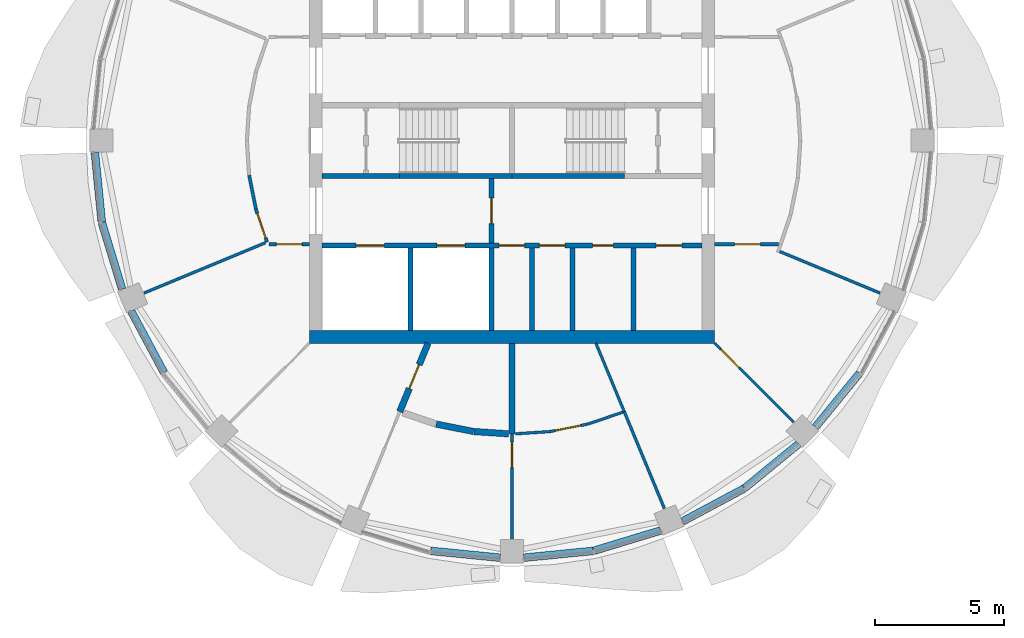
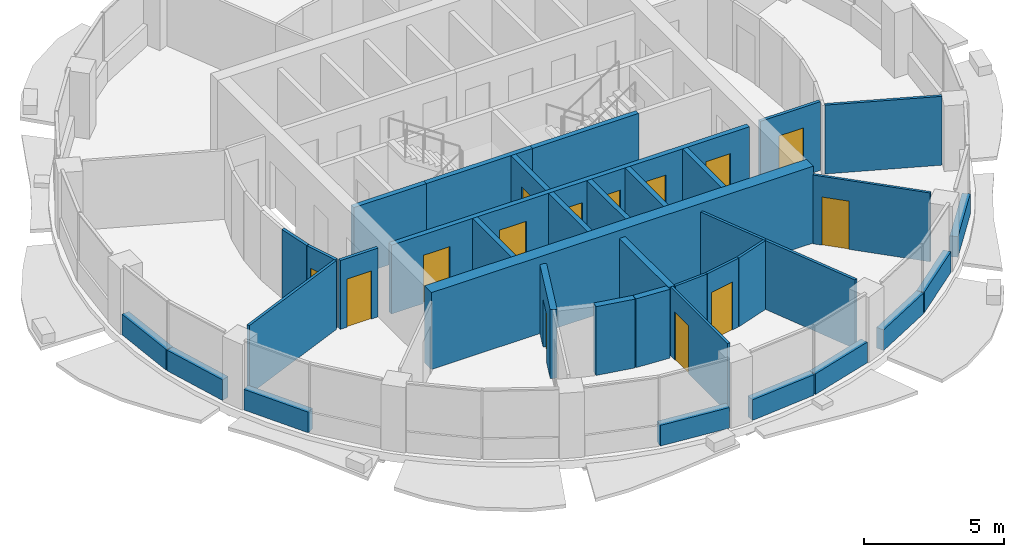
# One storey, part 8 of 15: 37 walls, 14 doors, 14 openings.
"""IFC4 building model written with IfcOpenShell, lengths in metres."""

import ifcopenshell
import ifcopenshell.guid

model = None  # the IFC model being written
_history = None  # IfcOwnerHistory: only IFC2X3 demands one
_inside = {}  # id of a spatial element -> (the spatial element, [elements in it])
_under = {}  # id of a project, library or spatial element -> (it, [spatial elements below it])
_declared = {}  # id of a project -> (the project, [libraries it declares])
_typed = {}  # id of a type object -> (the type object, [elements of that type])
_made_of = {}  # id of a material, layer set ... -> (it, [elements and type objects made of it])


def new_model(schema):
    """Start an empty IFC model of exactly this schema.

    Asked for "IFC4X3", IfcOpenShell would pick the latest addendum, in which some entities
    have other attributes; the version numbers below select the first issue.
    IFC2X3 requires an IfcOwnerHistory on every rooted entity: one is made here for all.
    """
    global model, _history
    if schema == "IFC4X3":
        model = ifcopenshell.file(schema_version=(4, 3, 0, 0))
    else:
        model = ifcopenshell.file(schema=schema)
    _inside.clear()
    _under.clear()
    _declared.clear()
    _typed.clear()
    _made_of.clear()
    _history = None
    if model.schema == "IFC2X3":
        org = make("IfcOrganization", Name="unknown")
        user = make(
            "IfcPersonAndOrganization",
            ThePerson=make("IfcPerson", FamilyName="unknown"),
            TheOrganization=org,
        )
        app = make(
            "IfcApplication",
            ApplicationDeveloper=org,
            Version="unknown",
            ApplicationFullName="unknown",
            ApplicationIdentifier="unknown",
        )
        _history = make(
            "IfcOwnerHistory",
            OwningUser=user,
            OwningApplication=app,
            ChangeAction="ADDED",
            CreationDate=0,
        )
    return model


def make(cls, **values):
    """One entity of the class cls with the attributes given. An attribute that is None is left unset."""
    return model.create_entity(
        cls, **{name: value for name, value in values.items() if value is not None}
    )


def rooted(cls, **values):
    """An entity with a GlobalId (a new one), such as an element, a storey or a relation."""
    return make(cls, GlobalId=ifcopenshell.guid.new(), OwnerHistory=_history, **values)


def si_unit(unit_type, name, prefix=None):
    """IfcSIUnit, for example si_unit("LENGTHUNIT", "METRE", prefix="MILLI")."""
    return make("IfcSIUnit", UnitType=unit_type, Prefix=prefix, Name=name)


def assignment(units):
    """IfcUnitAssignment: the units of a project."""
    return None if units is None else make("IfcUnitAssignment", Units=units)


def point(xyz):
    """IfcCartesianPoint."""
    return None if xyz is None else make("IfcCartesianPoint", Coordinates=xyz)


def direction(xyz):
    """IfcDirection."""
    return None if xyz is None else make("IfcDirection", DirectionRatios=xyz)


def frame(location, z_axis=None, x_axis=None):
    """IfcAxis2Placement3D, a coordinate frame: its origin and axes. An axis left out is left unset."""
    return make(
        "IfcAxis2Placement3D",
        Location=point(location),
        Axis=direction(z_axis),
        RefDirection=direction(x_axis),
    )


def frame_2d(location, x_axis=None):
    """IfcAxis2Placement2D, a coordinate frame in the plane: its origin and x axis."""
    return make(
        "IfcAxis2Placement2D", Location=point(location), RefDirection=direction(x_axis)
    )


def origin():
    """The frame at (0, 0, 0) with its axes left unset."""
    return frame((0.0, 0.0, 0.0))


def place(relative_to, where):
    """IfcLocalPlacement: puts the frame where relative to a parent placement (None: the world)."""
    return make(
        "IfcLocalPlacement", PlacementRelTo=relative_to, RelativePlacement=where
    )


def context(
    kind, dimensions, precision=None, world=None, true_north=None, identifier=None
):
    """IfcGeometricRepresentationContext, for example the 3D "Model" context."""
    return make(
        "IfcGeometricRepresentationContext",
        ContextIdentifier=identifier,
        ContextType=kind,
        CoordinateSpaceDimension=dimensions,
        Precision=precision,
        WorldCoordinateSystem=world,
        TrueNorth=true_north,
    )


def subcontext(parent, identifier, kind, view, scale=None):
    """IfcGeometricRepresentationSubContext, for example "Body" below "Model"."""
    return make(
        "IfcGeometricRepresentationSubContext",
        ContextIdentifier=identifier,
        ContextType=kind,
        ParentContext=parent,
        TargetScale=scale,
        TargetView=view,
    )


def project(units=None, contexts=None):
    """IfcProject with its units and contexts."""
    return rooted(
        "IfcProject",
        Name="project",
        RepresentationContexts=contexts,
        UnitsInContext=assignment(units),
    )


def spatial(cls, under=None, at=None, **own):
    """A site, building, storey or space (cls), placed at a placement, below another one or the project."""
    s = rooted(cls, ObjectPlacement=at, **own)
    if under is not None:
        _under.setdefault(under.id(), (under, []))[1].append(s)
    return s


def profile(cls, at=None, kind="AREA", **sizes):
    """A parametric profile (cls). Its sizes go by their IFC names, for example OverallWidth=200.0."""
    return make(cls, ProfileType=kind, Position=at, **sizes)


def rectangle(**sizes):
    """IfcRectangleProfileDef."""
    return profile("IfcRectangleProfileDef", **sizes)


def extrude(swept, where, along, depth):
    """IfcExtrudedAreaSolid: the profile swept, set in the frame where, extruded along a direction by depth."""
    return make(
        "IfcExtrudedAreaSolid",
        SweptArea=swept,
        Position=where,
        ExtrudedDirection=direction(along),
        Depth=depth,
    )


def shape(context_of_items, identifier, shape_type, items):
    """IfcShapeRepresentation: the items that make up one representation, for example the "Body"."""
    return make(
        "IfcShapeRepresentation",
        ContextOfItems=context_of_items,
        RepresentationIdentifier=identifier,
        RepresentationType=shape_type,
        Items=items,
    )


def material(Name=None, Category=None):
    """IfcMaterial."""
    return make("IfcMaterial", Name=Name, Category=Category)


def layer(
    of_material, thickness, ventilated=None, Name=None, Category=None, Priority=None
):
    """IfcMaterialLayer: one layer of a wall or slab, of a material (None: an air gap)."""
    return make(
        "IfcMaterialLayer",
        Material=of_material,
        LayerThickness=thickness,
        IsVentilated=ventilated,
        Name=Name,
        Category=Category,
        Priority=Priority,
    )


def layer_set(layers, Name=None):
    """IfcMaterialLayerSet."""
    return make("IfcMaterialLayerSet", MaterialLayers=layers, LayerSetName=Name)


def made_of(thing, what):
    """Note that an element or type object is made of a material, layer set ...; save() writes the relation."""
    if what is not None:
        _made_of.setdefault(what.id(), (what, []))[1].append(thing)
    return thing


def type_object(cls, material=None, **own):
    """A type object (cls), such as IfcWallType, which elements share."""
    return made_of(rooted(cls, **own), material)


def element(
    cls,
    number,
    at=None,
    inside=None,
    cuts=None,
    type_object=None,
    material=None,
    context=None,
    identifier="Body",
    shape_type=None,
    held_by="IfcProductDefinitionShape",
    body=None,
    shapes=None,
    **own,
):
    """One element of the class cls, such as IfcWall. Its Tag is "e" and its number.

    at: its placement. inside: the storey or other place that contains it. cuts: it is an
    opening in that element (IfcRelVoidsElement). A single representation is given by context,
    identifier, shape_type and body (its items); several are given by shapes. held_by: the class
    of the entity that holds the representations. save() writes the other relations.
    """
    e = rooted(cls, Tag="e%d" % number, ObjectPlacement=at, **own)
    if body is not None:
        shapes = [shape(context, identifier, shape_type, body)]
    if shapes is not None:
        e.Representation = make(held_by, Representations=shapes)
    if inside is not None:
        _inside.setdefault(inside.id(), (inside, []))[1].append(e)
    if cuts is not None:
        rooted(
            "IfcRelVoidsElement", RelatingBuildingElement=cuts, RelatedOpeningElement=e
        )
    if type_object is not None:
        _typed.setdefault(type_object.id(), (type_object, []))[1].append(e)
    return made_of(e, material)


def fill(opening, filler):
    """IfcRelFillsElement: the door or window that sits in an opening."""
    return rooted(
        "IfcRelFillsElement",
        RelatingOpeningElement=opening,
        RelatedBuildingElement=filler,
    )


def aggregate(whole, parts):
    """IfcRelAggregates: a whole, such as a stair, and the parts it consists of."""
    return rooted("IfcRelAggregates", RelatingObject=whole, RelatedObjects=parts)


def save(model, path):
    """Write the relations noted so far, then the file.

    IfcRelAggregates (storeys below a building ...), IfcRelContainedInSpatialStructure (elements
    in a storey), IfcRelDefinesByType, IfcRelAssociatesMaterial and IfcRelDeclares: one each for
    every whole, place, type object, material and project.
    """
    for whole, parts in _under.values():
        aggregate(whole, parts)
    for where, things in _inside.values():
        rooted(
            "IfcRelContainedInSpatialStructure",
            RelatedElements=things,
            RelatingStructure=where,
        )
    for kind, things in _typed.values():
        rooted("IfcRelDefinesByType", RelatedObjects=things, RelatingType=kind)
    for what, things in _made_of.values():
        rooted("IfcRelAssociatesMaterial", RelatedObjects=things, RelatingMaterial=what)
    for by, libraries in _declared.values():
        rooted("IfcRelDeclares", RelatingContext=by, RelatedDefinitions=libraries)
    model.write(path)


model = new_model("IFC4")

# Units and contexts
model_context = context("Model", 3, precision=1e-05, world=origin(), true_north=direction((0.0, 1.0)))
body_context = subcontext(model_context, "Body", "Model", "MODEL_VIEW")
ifc_project = project(units=[si_unit("LENGTHUNIT", "METRE"), si_unit("AREAUNIT", "SQUARE_METRE"), si_unit("VOLUMEUNIT", "CUBIC_METRE"), si_unit("PLANEANGLEUNIT", "RADIAN"), si_unit("MASSUNIT", "GRAM", prefix="KILO")], contexts=[model_context])

# Site, building, storey
site_placement = place(None, origin())
site = spatial("IfcSite", under=ifc_project, at=site_placement, CompositionType="ELEMENT")
building_placement = place(site_placement, origin())
building = spatial("IfcBuilding", under=site, at=building_placement, Name="Polderwave Tower", CompositionType="ELEMENT")
storey_placement = place(building_placement, frame((0.0, 0.0, 211.10009765625)))
storey = spatial("IfcBuildingStorey", under=building, at=storey_placement, Name="L57", CompositionType="ELEMENT", Elevation=211.10009765625)

# Walls
ifc_material_1 = material(Name="Concrete C60/75", Category="concrete")
ifc_layer_1 = layer(ifc_material_1, 0.5)
ifc_layer_set_1 = layer_set([ifc_layer_1], Name="CORE WALL 500 C60/75")
wall_type_1 = type_object("IfcWallType", Name="CORE WALL 500 C60/75", PredefinedType="SHEAR", material=ifc_layer_set_1)
wall_1_placement = place(storey_placement, frame((-7.8740234375, -7.6240234375, 0.0), z_axis=(0.0, 0.0, 1.0), x_axis=(1.0, 0.0, 0.0)))
element("IfcWall", 1, at=wall_1_placement, inside=storey, type_object=wall_type_1, Name="ST-CORE-L57-S", PredefinedType="SHEAR", context=body_context, shape_type="SweptSolid", body=[
    extrude(rectangle(XDim=15.748046875, YDim=0.5, at=frame_2d((7.8740234375, 0.0))), origin(), (0.0, 0.0, 1.0), 3.349853515625),
])
ifc_material_2 = material(Name="Concrete C50/60 (board-marked)", Category="concrete")
ifc_layer_2 = layer(ifc_material_2, 0.300048828125)
ifc_layer_set_2 = layer_set([ifc_layer_2], Name="Concrete spandrel upstand C50/60")
wall_type_2 = type_object("IfcWallType", Name="Concrete spandrel upstand C50/60", PredefinedType="SOLIDWALL", material=ifc_layer_set_2)
wall_2_placement = place(storey_placement, frame((-16.20458984375, -0.4638671875, 0.0), z_axis=(0.0, 0.0, 1.0), x_axis=(0.098046581117, -0.995181826568, 0.0)))
element("IfcWall", 2, at=wall_2_placement, inside=storey, type_object=wall_type_2, Name="Spandrel L57 9a", PredefinedType="SOLIDWALL", context=body_context, shape_type="SweptSolid", body=[
    extrude(rectangle(XDim=2.7041015625, YDim=0.300048828125, at=frame_2d((1.35205078125, 0.0))), origin(), (0.0, 0.0, 1.0), 0.89990234375),
])
wall_3_placement = place(storey_placement, frame((-15.93359375, -3.184326171875, 0.0), z_axis=(0.0, 0.0, 1.0), x_axis=(0.290608505958, -0.956842043529, 0.0)))
element("IfcWall", 3, at=wall_3_placement, inside=storey, type_object=wall_type_2, Name="Spandrel L57 9b", PredefinedType="SOLIDWALL", context=body_context, shape_type="SweptSolid", body=[
    extrude(rectangle(XDim=2.705078125, YDim=0.300048828125, at=frame_2d((1.3525390625, 0.0))), origin(), (0.0, 0.0, 1.0), 0.89990234375),
])
for number, where, z_axis, x_axis, name in (
    (4, (-14.79296875, -6.630126953125, 0.0), (0.0, 0.0, 1.0), (0.471459599189, -0.881887660835, 0.0), "Spandrel L57 10a"),
    (5, (-3.155029296875, -15.939453125, 0.0), (0.0, 0.0, 1.0), (0.995181826568, -0.098046581117, 0.0), "Spandrel L57 12b"),
    (6, (0.4638671875, -16.20458984375, 0.0), (0.0, 0.0, 1.0), (0.995181826568, 0.098046581117, 0.0), "Spandrel L57 13a"),
):
    element("IfcWall", number, at=place(storey_placement, frame(where, z_axis=z_axis, x_axis=x_axis)), inside=storey, type_object=wall_type_2, Name=name, PredefinedType="SOLIDWALL", context=body_context, shape_type="SweptSolid", body=[
        extrude(rectangle(XDim=2.7041015625, YDim=0.300048828125, at=frame_2d((1.35205078125, 0.0))), origin(), (0.0, 0.0, 1.0), 0.89990234375),
    ])
wall_4_placement = place(storey_placement, frame((3.184326171875, -15.93359375, 0.0), z_axis=(0.0, 0.0, 1.0), x_axis=(0.956842043529, 0.290608505958, 0.0)))
element("IfcWall", 7, at=wall_4_placement, inside=storey, type_object=wall_type_2, Name="Spandrel L57 13b", PredefinedType="SOLIDWALL", context=body_context, shape_type="SweptSolid", body=[
    extrude(rectangle(XDim=2.705078125, YDim=0.300048828125, at=frame_2d((1.3525390625, 0.0))), origin(), (0.0, 0.0, 1.0), 0.89990234375),
])
for number, where, z_axis, x_axis, name in (
    (8, (6.630126953125, -14.79296875, 0.0), (0.0, 0.0, 1.0), (0.881887660835, 0.471459599189, 0.0), "Spandrel L57 14a"),
    (9, (9.03955078125, -13.50146484375, 0.0), (0.0, 0.0, 1.0), (0.773200498897, 0.634161642253, 0.0), "Spandrel L57 14b"),
    (10, (11.78662109375, -11.13037109375, 0.0), (0.0, 0.0, 1.0), (0.634161642253, 0.773200498897, 0.0), "Spandrel L57 15a"),
):
    element("IfcWall", number, at=place(storey_placement, frame(where, z_axis=z_axis, x_axis=x_axis)), inside=storey, type_object=wall_type_2, Name=name, PredefinedType="SOLIDWALL", context=body_context, shape_type="SweptSolid", body=[
        extrude(rectangle(XDim=2.7041015625, YDim=0.300048828125, at=frame_2d((1.35205078125, 0.0))), origin(), (0.0, 0.0, 1.0), 0.89990234375),
    ])

# Wall, opening, door
ifc_material_3 = material(Name="Gypsum board partition")
ifc_layer_3 = layer(ifc_material_3, 0.199951171875)
ifc_layer_set_3 = layer_set([ifc_layer_3], Name="Core room partition 200")
wall_type_3 = type_object("IfcWallType", Name="Core room partition 200", PredefinedType="PARTITIONING", material=ifc_layer_set_3)
wall_5_placement = place(storey_placement, frame((-0.800048828125, -3.97412109375, 0.0), z_axis=(0.0, 0.0, 1.0), x_axis=(0.0, 1.0, 0.0)))
wall_5 = element("IfcWall", 11, at=wall_5_placement, inside=storey, type_object=wall_type_3, Name="L57 fire-fighting lobby wall", PredefinedType="PARTITIONING", context=body_context, shape_type="SweptSolid", body=[
    extrude(rectangle(XDim=2.4990234375, YDim=0.199951171875, at=frame_2d((1.24951171875, 0.0))), origin(), (0.0, 0.0, 1.0), 3.0),
])
opening_1_placement = place(wall_5_placement, frame((0.74951171875, 0.0, 0.0)))
opening_1 = element("IfcOpeningElement", 12, at=opening_1_placement, cuts=wall_5, Name="Opening L57-D14", PredefinedType="OPENING", context=body_context, shape_type="SweptSolid", body=[
    extrude(rectangle(XDim=1.0, YDim=2.10009765625, at=frame_2d((0.5, 1.050048828125))), frame((0.0, 0.10986328125, 0.0), z_axis=(0.0, -1.0, 0.0), x_axis=(1.0, 0.0, 0.0)), (0.0, 0.0, 1.0), 0.219970703125),
])
ifc_material_4 = material(Name="Steel fire door", Category="steel")
door_type_1 = type_object("IfcDoorType", Name="Lobby fire door 1000", OperationType="NOTDEFINED", PredefinedType="DOOR", material=ifc_material_4)
door_1_placement = place(opening_1_placement, frame((1.0, 0.0, 0.0), z_axis=(0.0, 0.0, 1.0), x_axis=(-1.0, 0.0, 0.0)))
door_1 = element("IfcDoor", 13, at=door_1_placement, inside=storey, type_object=door_type_1, Name="Fire-fighting lobby door", OperationType="SINGLE_SWING_LEFT", OverallHeight=2.10009765625, OverallWidth=1.0, PredefinedType="DOOR", context=body_context, shape_type="SweptSolid", body=[
    extrude(rectangle(XDim=1.0, YDim=2.10009765625, at=frame_2d((0.5, 1.050048828125))), frame((0.0, 0.02490234375, 0.0), z_axis=(0.0, -1.0, 0.0), x_axis=(1.0, 0.0, 0.0)), (0.0, 0.0, 1.0), 0.050048828125),
])
fill(opening_1, door_1)

# Walls
for number, where, z_axis, x_axis, name in (
    (14, (0.77685546875, -7.3740234375, 0.0), (0.0, 0.0, 1.0), (0.0, 1.0, 0.0), "L57 room partition S1"),
    (15, (2.353515625, -7.3740234375, 0.0), (0.0, 0.0, 1.0), (0.0, 1.0, 0.0), "L57 room partition S2"),
    (16, (4.717041015625, -7.3740234375, 0.0), (0.0, 0.0, 1.0), (0.0, 1.0, 0.0), "L57 room partition S3"),
):
    element("IfcWall", number, at=place(storey_placement, frame(where, z_axis=z_axis, x_axis=x_axis)), inside=storey, type_object=wall_type_3, Name=name, PredefinedType="PARTITIONING", context=body_context, shape_type="SweptSolid", body=[
        extrude(rectangle(XDim=3.199951171875, YDim=0.199951171875, at=frame_2d((1.60009765625, 0.0))), origin(), (0.0, 0.0, 1.0), 3.0),
    ])

# Wall, openings, doors
ifc_material_5 = material(Name="Concrete C50/60", Category="concrete")
ifc_layer_4 = layer(ifc_material_5, 0.199951171875)
ifc_layer_set_4 = layer_set([ifc_layer_4], Name="Core web wall 200")
wall_type_4 = type_object("IfcWallType", Name="Core web wall 200", PredefinedType="SHEAR", material=ifc_layer_set_4)
wall_6_placement = place(storey_placement, frame((-7.3740234375, -4.073974609375, 0.0), z_axis=(0.0, 0.0, 1.0), x_axis=(1.0, 0.0, 0.0)))
wall_6 = element("IfcWall", 17, at=wall_6_placement, inside=storey, type_object=wall_type_4, Name="L57 south front wall", PredefinedType="SHEAR", context=body_context, shape_type="SweptSolid", body=[
    extrude(rectangle(XDim=14.748046875, YDim=0.199951171875, at=frame_2d((7.3740234375, 0.0))), origin(), (0.0, 0.0, 1.0), 3.0),
])
opening_2_placement = place(wall_6_placement, frame((1.318603515625, 0.0, 0.0)))
opening_2 = element("IfcOpeningElement", 18, at=opening_2_placement, cuts=wall_6, Name="Opening L57-D01", PredefinedType="OPENING", context=body_context, shape_type="SweptSolid", body=[
    extrude(rectangle(XDim=1.10009765625, YDim=2.10009765625, at=frame_2d((0.550048828125, 1.050048828125))), frame((0.0, 0.10986328125, 0.0), z_axis=(0.0, -1.0, 0.0), x_axis=(1.0, 0.0, 0.0)), (0.0, 0.0, 1.0), 0.219970703125),
])
opening_3_placement = place(wall_6_placement, frame((4.45556640625, 0.0, 0.0)))
opening_3 = element("IfcOpeningElement", 19, at=opening_3_placement, cuts=wall_6, Name="Opening L57-D02", PredefinedType="OPENING", context=body_context, shape_type="SweptSolid", body=[
    extrude(rectangle(XDim=1.10009765625, YDim=2.10009765625, at=frame_2d((0.550048828125, 1.050048828125))), frame((0.0, 0.10986328125, 0.0), z_axis=(0.0, -1.0, 0.0), x_axis=(1.0, 0.0, 0.0)), (0.0, 0.0, 1.0), 0.219970703125),
])
opening_4_placement = place(wall_6_placement, frame((6.8623046875, 0.0, 0.0)))
opening_4 = element("IfcOpeningElement", 20, at=opening_4_placement, cuts=wall_6, Name="Opening L57-D15", PredefinedType="OPENING", context=body_context, shape_type="SweptSolid", body=[
    extrude(rectangle(XDim=1.0, YDim=2.10009765625, at=frame_2d((0.5, 1.050048828125))), frame((0.0, 0.10986328125, 0.0), z_axis=(0.0, -1.0, 0.0), x_axis=(1.0, 0.0, 0.0)), (0.0, 0.0, 1.0), 0.219970703125),
])
opening_5_placement = place(wall_6_placement, frame((8.439208984375, 0.0, 0.0)))
opening_5 = element("IfcOpeningElement", 21, at=opening_5_placement, cuts=wall_6, Name="Opening L57-D16", PredefinedType="OPENING", context=body_context, shape_type="SweptSolid", body=[
    extrude(rectangle(XDim=1.0, YDim=2.10009765625, at=frame_2d((0.5, 1.050048828125))), frame((0.0, 0.10986328125, 0.0), z_axis=(0.0, -1.0, 0.0), x_axis=(1.0, 0.0, 0.0)), (0.0, 0.0, 1.0), 0.219970703125),
])
opening_6_placement = place(wall_6_placement, frame((10.50927734375, 0.0, 0.0)))
opening_6 = element("IfcOpeningElement", 22, at=opening_6_placement, cuts=wall_6, Name="Opening L57-D17", PredefinedType="OPENING", context=body_context, shape_type="SweptSolid", body=[
    extrude(rectangle(XDim=0.800048828125, YDim=2.10009765625, at=frame_2d((0.39990234375, 1.050048828125))), frame((0.0, 0.10986328125, 0.0), z_axis=(0.0, -1.0, 0.0), x_axis=(1.0, 0.0, 0.0)), (0.0, 0.0, 1.0), 0.219970703125),
])
opening_7_placement = place(wall_6_placement, frame((12.969482421875, 0.0, 0.0)))
opening_7 = element("IfcOpeningElement", 23, at=opening_7_placement, cuts=wall_6, Name="Opening L57-D18", PredefinedType="OPENING", context=body_context, shape_type="SweptSolid", body=[
    extrude(rectangle(XDim=1.0, YDim=2.10009765625, at=frame_2d((0.5, 1.050048828125))), frame((0.0, 0.10986328125, 0.0), z_axis=(0.0, -1.0, 0.0), x_axis=(1.0, 0.0, 0.0)), (0.0, 0.0, 1.0), 0.219970703125),
])
ifc_material_6 = material(Name="Timber door leaf", Category="wood")
door_type_2 = type_object("IfcDoorType", Name="Accessible WC door 1000", OperationType="NOTDEFINED", PredefinedType="DOOR", material=ifc_material_6)
door_2_placement = place(opening_4_placement, frame((1.0, 0.0, 0.0), z_axis=(0.0, 0.0, 1.0), x_axis=(-1.0, 0.0, 0.0)))
door_2 = element("IfcDoor", 24, at=door_2_placement, inside=storey, type_object=door_type_2, Name="Accessible WC door", OperationType="SINGLE_SWING_RIGHT", OverallHeight=2.10009765625, OverallWidth=1.0, PredefinedType="DOOR", context=body_context, shape_type="SweptSolid", body=[
    extrude(rectangle(XDim=1.0, YDim=2.10009765625, at=frame_2d((0.5, 1.050048828125))), frame((0.0, 0.02490234375, 0.0), z_axis=(0.0, -1.0, 0.0), x_axis=(1.0, 0.0, 0.0)), (0.0, 0.0, 1.0), 0.050048828125),
])
fill(opening_4, door_2)
ifc_material_7 = material(Name="Stainless steel", Category="steel")
door_type_3 = type_object("IfcDoorType", Name="Fire-fighting lift landing door 1100", OperationType="DOUBLE_DOOR_SLIDING", PredefinedType="DOOR", material=ifc_material_7)
door_3_placement = place(opening_2_placement, origin())
door_3 = element("IfcDoor", 25, at=door_3_placement, inside=storey, type_object=door_type_3, Name="Fire-fighting lift FF1 landing door", OperationType="DOUBLE_DOOR_SLIDING", OverallHeight=2.10009765625, OverallWidth=1.10009765625, PredefinedType="DOOR", context=body_context, shape_type="SweptSolid", body=[
    extrude(rectangle(XDim=1.10009765625, YDim=2.10009765625, at=frame_2d((0.550048828125, 1.050048828125))), frame((0.0, 0.02490234375, 0.0), z_axis=(0.0, -1.0, 0.0), x_axis=(1.0, 0.0, 0.0)), (0.0, 0.0, 1.0), 0.050048828125),
])
fill(opening_2, door_3)
door_4_placement = place(opening_3_placement, origin())
door_4 = element("IfcDoor", 26, at=door_4_placement, inside=storey, type_object=door_type_3, Name="Fire-fighting lift FF2 landing door", OperationType="DOUBLE_DOOR_SLIDING", OverallHeight=2.10009765625, OverallWidth=1.10009765625, PredefinedType="DOOR", context=body_context, shape_type="SweptSolid", body=[
    extrude(rectangle(XDim=1.10009765625, YDim=2.10009765625, at=frame_2d((0.550048828125, 1.050048828125))), frame((0.0, 0.02490234375, 0.0), z_axis=(0.0, -1.0, 0.0), x_axis=(1.0, 0.0, 0.0)), (0.0, 0.0, 1.0), 0.050048828125),
])
fill(opening_3, door_4)
door_type_4 = type_object("IfcDoorType", Name="Riser door 800", OperationType="NOTDEFINED", PredefinedType="DOOR", material=ifc_material_4)
door_5_placement = place(opening_6_placement, origin())
door_5 = element("IfcDoor", 27, at=door_5_placement, inside=storey, type_object=door_type_4, Name="Electrical room door", OperationType="SINGLE_SWING_RIGHT", OverallHeight=2.10009765625, OverallWidth=0.800048828125, PredefinedType="DOOR", context=body_context, shape_type="SweptSolid", body=[
    extrude(rectangle(XDim=0.800048828125, YDim=2.10009765625, at=frame_2d((0.39990234375, 1.050048828125))), frame((0.0, 0.02490234375, 0.0), z_axis=(0.0, -1.0, 0.0), x_axis=(1.0, 0.0, 0.0)), (0.0, 0.0, 1.0), 0.050048828125),
])
fill(opening_6, door_5)
door_type_5 = type_object("IfcDoorType", Name="Room door 1000", OperationType="NOTDEFINED", PredefinedType="DOOR", material=ifc_material_6)
door_6_placement = place(opening_5_placement, frame((1.0, 0.0, 0.0), z_axis=(0.0, 0.0, 1.0), x_axis=(-1.0, 0.0, 0.0)))
door_6 = element("IfcDoor", 28, at=door_6_placement, inside=storey, type_object=door_type_5, Name="Staff WC door", OperationType="SINGLE_SWING_LEFT", OverallHeight=2.10009765625, OverallWidth=1.0, PredefinedType="DOOR", context=body_context, shape_type="SweptSolid", body=[
    extrude(rectangle(XDim=1.0, YDim=2.10009765625, at=frame_2d((0.5, 1.050048828125))), frame((0.0, 0.02490234375, 0.0), z_axis=(0.0, -1.0, 0.0), x_axis=(1.0, 0.0, 0.0)), (0.0, 0.0, 1.0), 0.050048828125),
])
fill(opening_5, door_6)
door_7_placement = place(opening_7_placement, frame((1.0, 0.0, 0.0), z_axis=(0.0, 0.0, 1.0), x_axis=(-1.0, 0.0, 0.0)))
door_7 = element("IfcDoor", 29, at=door_7_placement, inside=storey, type_object=door_type_5, Name="Store door", OperationType="SINGLE_SWING_LEFT", OverallHeight=2.10009765625, OverallWidth=1.0, PredefinedType="DOOR", context=body_context, shape_type="SweptSolid", body=[
    extrude(rectangle(XDim=1.0, YDim=2.10009765625, at=frame_2d((0.5, 1.050048828125))), frame((0.0, 0.02490234375, 0.0), z_axis=(0.0, -1.0, 0.0), x_axis=(1.0, 0.0, 0.0)), (0.0, 0.0, 1.0), 0.050048828125),
])
fill(opening_7, door_7)

# Walls
wall_7_placement = place(storey_placement, frame((-7.3740234375, -1.375, 0.0), z_axis=(0.0, 0.0, 1.0), x_axis=(1.0, 0.0, 0.0)))
element("IfcWall", 30, at=wall_7_placement, inside=storey, type_object=wall_type_4, Name="L57 south stair wall 1", PredefinedType="SHEAR", context=body_context, shape_type="SweptSolid", body=[
    extrude(rectangle(XDim=3.0, YDim=0.199951171875, at=frame_2d((1.5, 0.0))), origin(), (0.0, 0.0, 1.0), 3.0),
])
for number, where, z_axis, x_axis, name in (
    (31, (-4.3740234375, -1.375, 0.0), (0.0, 0.0, 1.0), (1.0, 0.0, 0.0), "L57 south stair wall 2"),
    (32, (0.0, -1.375, 0.0), (0.0, 0.0, 1.0), (1.0, 0.0, 0.0), "L57 south stair wall 3"),
):
    element("IfcWall", number, at=place(storey_placement, frame(where, z_axis=z_axis, x_axis=x_axis)), inside=storey, type_object=wall_type_4, Name=name, PredefinedType="SHEAR", context=body_context, shape_type="SweptSolid", body=[
        extrude(rectangle(XDim=4.3740234375, YDim=0.199951171875, at=frame_2d((2.18701171875, 0.0))), origin(), (0.0, 0.0, 1.0), 3.0),
    ])

# Wall, opening, door
ifc_material_8 = material(Name="Fire-resisting board on steel studs", Category="steel")
ifc_layer_5 = layer(ifc_material_8, 0.125)
ifc_layer_set_5 = layer_set([ifc_layer_5], Name="Corridor wall 125 mm EI 60")
wall_type_5 = type_object("IfcWallType", Name="Corridor wall 125 mm EI 60", PredefinedType="PARTITIONING", material=ifc_layer_set_5)
wall_8_placement = place(storey_placement, frame((10.34912109375, -4.0244140625, 0.0), z_axis=(0.0, 0.0, 1.0), x_axis=(-1.0, 0.0, 0.0)))
wall_8 = element("IfcWall", 33, at=wall_8_placement, inside=storey, type_object=wall_type_5, Name="IN-L57-W008", PredefinedType="PARTITIONING", context=body_context, shape_type="SweptSolid", body=[
    extrude(rectangle(XDim=2.47509765625, YDim=0.125, at=frame_2d((1.237548828125, 0.0))), origin(), (0.0, 0.0, 1.0), 3.0),
])
opening_8_placement = place(wall_8_placement, frame((0.699951171875, 0.0, 0.0)))
opening_8 = element("IfcOpeningElement", 34, at=opening_8_placement, cuts=wall_8, Name="Opening L57-D52", PredefinedType="OPENING", context=body_context, shape_type="SweptSolid", body=[
    extrude(rectangle(XDim=1.0, YDim=2.10009765625, at=frame_2d((0.5, 1.050048828125))), frame((0.0, 0.072509765625, 0.0), z_axis=(0.0, -1.0, 0.0), x_axis=(1.0, 0.0, 0.0)), (0.0, 0.0, 1.0), 0.14501953125),
])
ifc_material_9 = material(Name="Timber fire door leaf", Category="wood")
door_type_6 = type_object("IfcDoorType", Name="Fire door FD30S 1000 x 2100", OperationType="NOTDEFINED", PredefinedType="DOOR", material=ifc_material_9)
door_8_placement = place(opening_8_placement, origin())
door_8 = element("IfcDoor", 35, at=door_8_placement, inside=storey, type_object=door_type_6, Name="Door L57-D52", OperationType="SINGLE_SWING_LEFT", OverallHeight=2.10009765625, OverallWidth=1.0, PredefinedType="DOOR", context=body_context, shape_type="SweptSolid", body=[
    extrude(rectangle(XDim=1.0, YDim=2.10009765625, at=frame_2d((0.5, 1.050048828125))), frame((0.0, 0.02490234375, 0.0), z_axis=(0.0, -1.0, 0.0), x_axis=(1.0, 0.0, 0.0)), (0.0, 0.0, 1.0), 0.050048828125),
])
fill(opening_8, door_8)

# Wall
wall_9_placement = place(storey_placement, frame((-9.94970703125, -2.661865234375, 0.0), z_axis=(0.0, 0.0, 1.0), x_axis=(-0.195239630967, 0.980755569191, 0.0)))
element("IfcWall", 36, at=wall_9_placement, inside=storey, type_object=wall_type_5, Name="IN-L57-W013", PredefinedType="PARTITIONING", context=body_context, shape_type="SweptSolid", body=[
    extrude(rectangle(XDim=1.33935546875, YDim=0.125, at=frame_2d((0.669677734375, 0.0))), origin(), (0.0, 0.0, 1.0), 3.0),
])

# Wall, opening, door
wall_10_placement = place(storey_placement, frame((-9.51611328125, -3.941650390625, 0.0), z_axis=(0.0, 0.0, 1.0), x_axis=(-0.321348735565, 0.946960923244, 0.0)))
wall_10 = element("IfcWall", 37, at=wall_10_placement, inside=storey, type_object=wall_type_5, Name="IN-L57-W015", PredefinedType="PARTITIONING", context=body_context, shape_type="SweptSolid", body=[
    extrude(rectangle(XDim=1.34326171875, YDim=0.125, at=frame_2d((0.671630859375, 0.0))), origin(), (0.0, 0.0, 1.0), 3.0),
])
opening_9_placement = place(wall_10_placement, frame((0.171630859375, 0.0, 0.0)))
opening_9 = element("IfcOpeningElement", 38, at=opening_9_placement, cuts=wall_10, Name="Opening L57-D54", PredefinedType="OPENING", context=body_context, shape_type="SweptSolid", body=[
    extrude(rectangle(XDim=1.0, YDim=2.10009765625, at=frame_2d((0.5, 1.050048828125))), frame((0.0, 0.072509765625, 0.0), z_axis=(0.0, -1.0, 0.0), x_axis=(1.0, 0.0, 0.0)), (0.0, 0.0, 1.0), 0.14501953125),
])
door_9_placement = place(opening_9_placement, origin())
door_9 = element("IfcDoor", 39, at=door_9_placement, inside=storey, type_object=door_type_6, Name="Door L57-D54", OperationType="SINGLE_SWING_LEFT", OverallHeight=2.10009765625, OverallWidth=1.0, PredefinedType="DOOR", context=body_context, shape_type="SweptSolid", body=[
    extrude(rectangle(XDim=1.0, YDim=2.10009765625, at=frame_2d((0.5, 1.050048828125))), frame((0.0, 0.02490234375, 0.0), z_axis=(0.0, -1.0, 0.0), x_axis=(1.0, 0.0, 0.0)), (0.0, 0.0, 1.0), 0.050048828125),
])
fill(opening_9, door_9)

wall_11_placement = place(storey_placement, frame((-7.8740234375, -4.0244140625, 0.0), z_axis=(0.0, 0.0, 1.0), x_axis=(-1.0, 0.0, 0.0)))
wall_11 = element("IfcWall", 40, at=wall_11_placement, inside=storey, type_object=wall_type_5, Name="IN-L57-W016", PredefinedType="PARTITIONING", context=body_context, shape_type="SweptSolid", body=[
    extrude(rectangle(XDim=1.562255859375, YDim=0.125, at=frame_2d((0.78125, 0.0))), origin(), (0.0, 0.0, 1.0), 3.0),
])
opening_10_placement = place(wall_11_placement, frame((0.281005859375, 0.0, 0.0)))
opening_10 = element("IfcOpeningElement", 41, at=opening_10_placement, cuts=wall_11, Name="Opening L57-D55", PredefinedType="OPENING", context=body_context, shape_type="SweptSolid", body=[
    extrude(rectangle(XDim=1.0, YDim=2.10009765625, at=frame_2d((0.5, 1.050048828125))), frame((0.0, 0.072509765625, 0.0), z_axis=(0.0, -1.0, 0.0), x_axis=(1.0, 0.0, 0.0)), (0.0, 0.0, 1.0), 0.14501953125),
])
door_10_placement = place(opening_10_placement, origin())
door_10 = element("IfcDoor", 42, at=door_10_placement, inside=storey, type_object=door_type_6, Name="Door L57-D55", OperationType="SINGLE_SWING_LEFT", OverallHeight=2.10009765625, OverallWidth=1.0, PredefinedType="DOOR", context=body_context, shape_type="SweptSolid", body=[
    extrude(rectangle(XDim=1.0, YDim=2.10009765625, at=frame_2d((0.5, 1.050048828125))), frame((0.0, 0.02490234375, 0.0), z_axis=(0.0, -1.0, 0.0), x_axis=(1.0, 0.0, 0.0)), (0.0, 0.0, 1.0), 0.050048828125),
])
fill(opening_10, door_10)

ifc_material_10 = material(Name="Plasterboard on steel studs", Category="steel")
ifc_layer_6 = layer(ifc_material_10, 0.10009765625)
ifc_layer_set_6 = layer_set([ifc_layer_6], Name="Partition 100 mm plasterboard on steel studs")
wall_type_6 = type_object("IfcWallType", Name="Partition 100 mm plasterboard on steel studs", PredefinedType="PARTITIONING", material=ifc_layer_set_6)
wall_12_placement = place(storey_placement, frame((0.0, -11.39990234375, 0.0), z_axis=(0.0, 0.0, 1.0), x_axis=(0.0, -1.0, 0.0)))
wall_12 = element("IfcWall", 43, at=wall_12_placement, inside=storey, type_object=wall_type_6, Name="IN-L57-W043", PredefinedType="PARTITIONING", context=body_context, shape_type="SweptSolid", body=[
    extrude(rectangle(XDim=4.070068359375, YDim=0.10009765625, at=frame_2d((2.03515625, 0.0))), origin(), (0.0, 0.0, 1.0), 3.0),
])
opening_11_placement = place(wall_12_placement, frame((0.300048828125, 0.0, 0.0)))
opening_11 = element("IfcOpeningElement", 44, at=opening_11_placement, cuts=wall_12, Name="Opening L57-D64", PredefinedType="OPENING", context=body_context, shape_type="SweptSolid", body=[
    extrude(rectangle(XDim=1.0, YDim=2.10009765625, at=frame_2d((0.5, 1.050048828125))), frame((0.0, 0.06005859375, 0.0), z_axis=(0.0, -1.0, 0.0), x_axis=(1.0, 0.0, 0.0)), (0.0, 0.0, 1.0), 0.1201171875),
])
ifc_material_11 = material(Name="Timber veneer door leaf", Category="wood")
door_type_7 = type_object("IfcDoorType", Name="Single door 1000 x 2100", OperationType="NOTDEFINED", PredefinedType="DOOR", material=ifc_material_11)
door_11_placement = place(opening_11_placement, origin())
door_11 = element("IfcDoor", 45, at=door_11_placement, inside=storey, type_object=door_type_7, Name="Door L57-D64", OperationType="SINGLE_SWING_LEFT", OverallHeight=2.10009765625, OverallWidth=1.0, PredefinedType="DOOR", context=body_context, shape_type="SweptSolid", body=[
    extrude(rectangle(XDim=1.0, YDim=2.10009765625, at=frame_2d((0.5, 1.050048828125))), frame((0.0, 0.02490234375, 0.0), z_axis=(0.0, -1.0, 0.0), x_axis=(1.0, 0.0, 0.0)), (0.0, 0.0, 1.0), 0.050048828125),
])
fill(opening_11, door_11)

wall_13_placement = place(storey_placement, frame((10.93896484375, -10.93896484375, 0.0), z_axis=(0.0, 0.0, 1.0), x_axis=(-0.707106781187, 0.707106781187, 0.0)))
wall_13 = element("IfcWall", 46, at=wall_13_placement, inside=storey, type_object=wall_type_6, Name="IN-L57-W049", PredefinedType="PARTITIONING", context=body_context, shape_type="SweptSolid", body=[
    extrude(rectangle(XDim=4.33447265625, YDim=0.10009765625, at=frame_2d((2.167236328125, 0.0))), origin(), (0.0, 0.0, 1.0), 3.0),
])
opening_12_placement = place(wall_13_placement, frame((3.0, 0.0, 0.0)))
opening_12 = element("IfcOpeningElement", 47, at=opening_12_placement, cuts=wall_13, Name="Opening L57-D66", PredefinedType="OPENING", context=body_context, shape_type="SweptSolid", body=[
    extrude(rectangle(XDim=1.0, YDim=2.10009765625, at=frame_2d((0.5, 1.050048828125))), frame((0.0, 0.06005859375, 0.0), z_axis=(0.0, -1.0, 0.0), x_axis=(1.0, 0.0, 0.0)), (0.0, 0.0, 1.0), 0.1201171875),
])
door_12_placement = place(opening_12_placement, origin())
door_12 = element("IfcDoor", 48, at=door_12_placement, inside=storey, type_object=door_type_7, Name="Door L57-D66", OperationType="SINGLE_SWING_RIGHT", OverallHeight=2.10009765625, OverallWidth=1.0, PredefinedType="DOOR", context=body_context, shape_type="SweptSolid", body=[
    extrude(rectangle(XDim=1.0, YDim=2.10009765625, at=frame_2d((0.5, 1.050048828125))), frame((0.0, 0.02490234375, 0.0), z_axis=(0.0, -1.0, 0.0), x_axis=(1.0, 0.0, 0.0)), (0.0, 0.0, 1.0), 0.050048828125),
])
fill(opening_12, door_12)

# Wall
ifc_material_12 = material(Name="Moisture-resistant board on steel studs, tiled", Category="steel")
ifc_layer_7 = layer(ifc_material_12, 0.10498046875)
ifc_layer_set_7 = layer_set([ifc_layer_7], Name="Partition 105 mm wet room board and tile")
wall_type_7 = type_object("IfcWallType", Name="Partition 105 mm wet room board and tile", PredefinedType="PARTITIONING", material=ifc_layer_set_7)
wall_14_placement = place(storey_placement, frame((1.484619140625, -11.302734375, 0.0), z_axis=(0.0, 0.0, 1.0), x_axis=(-0.997860024345, -0.065386327428, 0.0)))
element("IfcWall", 49, at=wall_14_placement, inside=storey, type_object=wall_type_7, Name="IN-L57-W044", PredefinedType="PARTITIONING", context=body_context, shape_type="SweptSolid", body=[
    extrude(rectangle(XDim=1.359130859375, YDim=0.10498046875, at=frame_2d((0.6796875, 0.0))), origin(), (0.0, 0.0, 1.0), 3.0),
])

# Wall, opening, door
wall_15_placement = place(storey_placement, frame((1.491455078125, -11.3017578125, 0.0), z_axis=(0.0, 0.0, 1.0), x_axis=(0.980782621603, 0.195103688229, 0.0)))
wall_15 = element("IfcWall", 50, at=wall_15_placement, inside=storey, type_object=wall_type_7, Name="IN-L57-W045", PredefinedType="PARTITIONING", context=body_context, shape_type="SweptSolid", body=[
    extrude(rectangle(XDim=1.484130859375, YDim=0.10498046875, at=frame_2d((0.7421875, 0.0))), origin(), (0.0, 0.0, 1.0), 3.0),
])
opening_13_placement = place(wall_15_placement, frame((0.199951171875, 0.0, 0.0)))
opening_13 = element("IfcOpeningElement", 51, at=opening_13_placement, cuts=wall_15, Name="Opening L57-D65", PredefinedType="OPENING", context=body_context, shape_type="SweptSolid", body=[
    extrude(rectangle(XDim=1.0, YDim=2.10009765625, at=frame_2d((0.5, 1.050048828125))), frame((0.0, 0.0625, 0.0), z_axis=(0.0, -1.0, 0.0), x_axis=(1.0, 0.0, 0.0)), (0.0, 0.0, 1.0), 0.125),
])
door_13_placement = place(opening_13_placement, origin())
door_13 = element("IfcDoor", 52, at=door_13_placement, inside=storey, type_object=door_type_7, Name="Door L57-D65", OperationType="SINGLE_SWING_LEFT", OverallHeight=2.10009765625, OverallWidth=1.0, PredefinedType="DOOR", context=body_context, shape_type="SweptSolid", body=[
    extrude(rectangle(XDim=1.0, YDim=2.10009765625, at=frame_2d((0.5, 1.050048828125))), frame((0.0, 0.02490234375, 0.0), z_axis=(0.0, -1.0, 0.0), x_axis=(1.0, 0.0, 0.0)), (0.0, 0.0, 1.0), 0.050048828125),
])
fill(opening_13, door_13)

# Walls
wall_16_placement = place(storey_placement, frame((4.30712890625, -10.551025390625, 0.0), z_axis=(0.0, 0.0, 1.0), x_axis=(-0.946909066327, -0.321501508719, 0.0)))
element("IfcWall", 53, at=wall_16_placement, inside=storey, type_object=wall_type_7, Name="IN-L57-W046", PredefinedType="PARTITIONING", context=body_context, shape_type="SweptSolid", body=[
    extrude(rectangle(XDim=1.42919921875, YDim=0.10498046875, at=frame_2d((0.714599609375, 0.0))), origin(), (0.0, 0.0, 1.0), 3.0),
])
wall_17_placement = place(storey_placement, frame((3.261474609375, -7.8740234375, 0.0), z_axis=(0.0, 0.0, 1.0), x_axis=(0.382686527355, -0.923878250519, 0.0)))
element("IfcWall", 54, at=wall_17_placement, inside=storey, type_object=wall_type_7, Name="IN-L57-W047", PredefinedType="PARTITIONING", context=body_context, shape_type="SweptSolid", body=[
    extrude(rectangle(XDim=2.877197265625, YDim=0.10498046875, at=frame_2d((1.4384765625, 0.0))), origin(), (0.0, 0.0, 1.0), 3.0),
])
ifc_material_13 = material(Name="Acoustic double plasterboard on steel studs", Category="steel")
ifc_layer_8 = layer(ifc_material_13, 0.110107421875)
ifc_layer_set_8 = layer_set([ifc_layer_8], Name="Partition 110 mm acoustic double board")
wall_type_8 = type_object("IfcWallType", Name="Partition 110 mm acoustic double board", PredefinedType="PARTITIONING", material=ifc_layer_set_8)
wall_18_placement = place(storey_placement, frame((14.29248046875, -5.920166015625, 0.0), z_axis=(0.0, 0.0, 1.0), x_axis=(-0.923877633043, 0.382688018055, 0.0)))
element("IfcWall", 55, at=wall_18_placement, inside=storey, type_object=wall_type_8, Name="IN-L57-W020", PredefinedType="PARTITIONING", context=body_context, shape_type="SweptSolid", body=[
    extrude(rectangle(XDim=4.211181640625, YDim=0.110107421875, at=frame_2d((2.10546875, 0.0))), origin(), (0.0, 0.0, 1.0), 3.0),
])
wall_19_placement = place(storey_placement, frame((-9.5771484375, -3.967041015625, 0.0), z_axis=(0.0, 0.0, 1.0), x_axis=(-0.923881574534, -0.382678502448, 0.0)))
element("IfcWall", 56, at=wall_19_placement, inside=storey, type_object=wall_type_8, Name="IN-L57-W035", PredefinedType="PARTITIONING", context=body_context, shape_type="SweptSolid", body=[
    extrude(rectangle(XDim=5.103759765625, YDim=0.110107421875, at=frame_2d((2.5517578125, 0.0))), origin(), (0.0, 0.0, 1.0), 3.0),
])
wall_20_placement = place(storey_placement, frame((4.362548828125, -10.5322265625, 0.0), z_axis=(0.0, 0.0, 1.0), x_axis=(0.382697907061, -0.923873536763, 0.0)))
element("IfcWall", 57, at=wall_20_placement, inside=storey, type_object=wall_type_8, Name="IN-L57-W048", PredefinedType="PARTITIONING", context=body_context, shape_type="SweptSolid", body=[
    extrude(rectangle(XDim=4.070068359375, YDim=0.110107421875, at=frame_2d((2.03515625, 0.0))), origin(), (0.0, 0.0, 1.0), 3.0),
])

# Wall, opening, door
ifc_material_14 = material(Name="Fire-resisting board on steel studs, mineral wool", Category="steel")
ifc_layer_9 = layer(ifc_material_14, 0.25)
ifc_layer_set_9 = layer_set([ifc_layer_9], Name="Plant room wall 250 mm EI 120")
wall_type_9 = type_object("IfcWallType", Name="Plant room wall 250 mm EI 120", PredefinedType="PARTITIONING", material=ifc_layer_set_9)
wall_21_placement = place(storey_placement, frame((-3.261474609375, -7.8740234375, 0.0), z_axis=(0.0, 0.0, 1.0), x_axis=(-0.382686527355, -0.923878250519, 0.0)))
wall_21 = element("IfcWall", 58, at=wall_21_placement, inside=storey, type_object=wall_type_9, Name="IN-L57-W037", PredefinedType="PARTITIONING", context=body_context, shape_type="SweptSolid", body=[
    extrude(rectangle(XDim=2.877197265625, YDim=0.25, at=frame_2d((1.4384765625, 0.0))), origin(), (0.0, 0.0, 1.0), 3.0),
])
opening_14_placement = place(wall_21_placement, frame((0.89990234375, 0.0, 0.0)))
opening_14 = element("IfcOpeningElement", 59, at=opening_14_placement, cuts=wall_21, Name="Opening L57-D62", PredefinedType="OPENING", context=body_context, shape_type="SweptSolid", body=[
    extrude(rectangle(XDim=1.0, YDim=2.10009765625, at=frame_2d((0.5, 1.050048828125))), frame((0.0, 0.135009765625, 0.0), z_axis=(0.0, -1.0, 0.0), x_axis=(1.0, 0.0, 0.0)), (0.0, 0.0, 1.0), 0.27001953125),
])
ifc_material_15 = material(Name="Steel plant door leaf", Category="steel")
door_type_8 = type_object("IfcDoorType", Name="Plant door FD60 1000 x 2100 steel", OperationType="NOTDEFINED", PredefinedType="DOOR", material=ifc_material_15)
door_14_placement = place(opening_14_placement, origin())
door_14 = element("IfcDoor", 60, at=door_14_placement, inside=storey, type_object=door_type_8, Name="Door L57-D62", OperationType="SINGLE_SWING_LEFT", OverallHeight=2.10009765625, OverallWidth=1.0, PredefinedType="DOOR", context=body_context, shape_type="SweptSolid", body=[
    extrude(rectangle(XDim=1.0, YDim=2.10009765625, at=frame_2d((0.5, 1.050048828125))), frame((0.0, 0.02490234375, 0.0), z_axis=(0.0, -1.0, 0.0), x_axis=(1.0, 0.0, 0.0)), (0.0, 0.0, 1.0), 0.050048828125),
])
fill(opening_14, door_14)

# Walls
wall_22_placement = place(storey_placement, frame((-1.49609375, -11.30078125, 0.0), z_axis=(0.0, 0.0, 1.0), x_axis=(-0.980796583917, 0.195033486809, 0.0)))
element("IfcWall", 61, at=wall_22_placement, inside=storey, type_object=wall_type_9, Name="IN-L57-W040", PredefinedType="PARTITIONING", context=body_context, shape_type="SweptSolid", body=[
    extrude(rectangle(XDim=1.474609375, YDim=0.25, at=frame_2d((0.7373046875, 0.0))), origin(), (0.0, 0.0, 1.0), 3.0),
])
wall_23_placement = place(storey_placement, frame((-0.13330078125, -11.391357421875, 0.0), z_axis=(0.0, 0.0, 1.0), x_axis=(-0.997852686239, 0.065498218027, 0.0)))
element("IfcWall", 62, at=wall_23_placement, inside=storey, type_object=wall_type_9, Name="IN-L57-W041", PredefinedType="PARTITIONING", context=body_context, shape_type="SweptSolid", body=[
    extrude(rectangle(XDim=1.349365234375, YDim=0.25, at=frame_2d((0.6748046875, 0.0))), origin(), (0.0, 0.0, 1.0), 3.0),
])
wall_24_placement = place(storey_placement, frame((0.0, -7.8740234375, 0.0), z_axis=(0.0, 0.0, 1.0), x_axis=(0.0, -1.0, 0.0)))
element("IfcWall", 63, at=wall_24_placement, inside=storey, type_object=wall_type_9, Name="IN-L57-W042", PredefinedType="PARTITIONING", context=body_context, shape_type="SweptSolid", body=[
    extrude(rectangle(XDim=3.52587890625, YDim=0.25, at=frame_2d((1.762939453125, 0.0))), origin(), (0.0, 0.0, 1.0), 3.0),
])
ifc_material_16 = material(Name="Gypsum shaft wall system")
ifc_layer_10 = layer(ifc_material_16, 0.199951171875)
ifc_layer_set_10 = layer_set([ifc_layer_10], Name="Shaft wall 200")
wall_type_10 = type_object("IfcWallType", Name="Shaft wall 200", PredefinedType="PARTITIONING", material=ifc_layer_set_10)
for number, where, z_axis, x_axis, name in (
    (64, (-3.93701171875, -7.3740234375, 0.0), (0.0, 0.0, 1.0), (0.0, 1.0, 0.0), "L57 fire-fighting shaft wall 1"),
    (65, (-0.800048828125, -7.3740234375, 0.0), (0.0, 0.0, 1.0), (0.0, 1.0, 0.0), "L57 fire-fighting shaft wall 2"),
):
    element("IfcWall", number, at=place(storey_placement, frame(where, z_axis=z_axis, x_axis=x_axis)), inside=storey, type_object=wall_type_10, Name=name, PredefinedType="PARTITIONING", context=body_context, shape_type="SweptSolid", body=[
        extrude(rectangle(XDim=3.199951171875, YDim=0.199951171875, at=frame_2d((1.60009765625, 0.0))), origin(), (0.0, 0.0, 1.0), 3.0),
    ])

save(model, "model.ifc")
